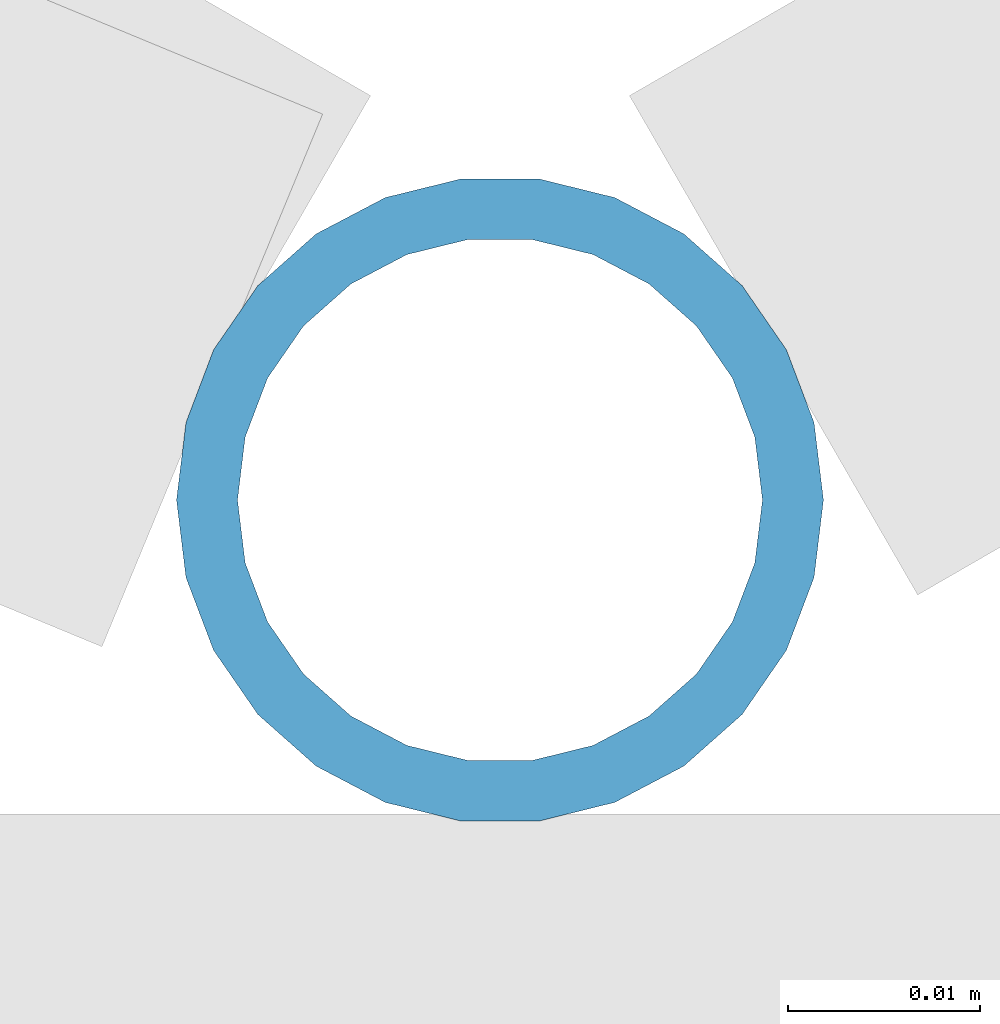
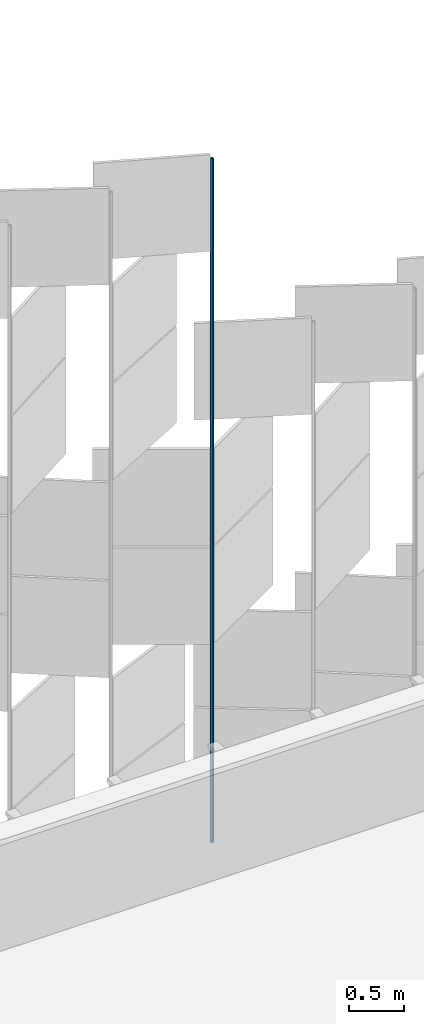
# One storey, part 361 of 483: 1 discrete accessory.
"""IFC4 building model written with IfcOpenShell, lengths in metres."""

from ifc_helpers import new_model, si_unit, direction, frame, origin, origin_2d, place, context, subcontext, project, spatial, hollow_circle, extrude, material, material_profile, profile_set, type_object, element, save


model = new_model("IFC4")

# Units and contexts
model_context = context("Model", 3, precision=1e-05, world=origin(), true_north=direction((0.0, 1.0)))
body_context = subcontext(model_context, "Body", "Model", "MODEL_VIEW")
ifc_project = project(units=[si_unit("LENGTHUNIT", "METRE"), si_unit("AREAUNIT", "SQUARE_METRE"), si_unit("VOLUMEUNIT", "CUBIC_METRE"), si_unit("PLANEANGLEUNIT", "RADIAN"), si_unit("MASSUNIT", "GRAM", prefix="KILO")], contexts=[model_context])

# Site, building, storey
site_placement = place(None, origin())
site = spatial("IfcSite", under=ifc_project, at=site_placement, CompositionType="ELEMENT")
building_placement = place(site_placement, origin())
building = spatial("IfcBuilding", under=site, at=building_placement, Name="Parallax Yard Mobility Hub", CompositionType="ELEMENT")
storey_placement = place(building_placement, frame((0.0, 0.0, 13.199951171875)))
storey = spatial("IfcBuildingStorey", under=building, at=storey_placement, Name="L04", CompositionType="ELEMENT", Elevation=13.199951171875)

# Discrete accessory
ifc_material = material(Name="Steel ASTM A500 Gr C, hot-dip galvanised", Category="steel")
ifc_material_profile = material_profile(ifc_material, hollow_circle(Radius=0.016845703125, WallThickness=0.003173828125, at=origin_2d()), Name="CHS 33.7x3.2")
ifc_profile_set = profile_set([ifc_material_profile], Name="Steel ASTM A500 Gr C, hot-dip galvanised")
discrete_accessory_type = type_object("IfcDiscreteAccessoryType", Name="Hinge post CHS 33.7x3.2", PredefinedType="BRACKET", material=ifc_profile_set)
discrete_accessory_placement = place(storey_placement, frame((131.78271484375, 142.800048828125, 0.0), z_axis=(0.0, 0.0, 1.0), x_axis=(1.0, 0.0, 0.0)))
element("IfcDiscreteAccessory", 1, at=discrete_accessory_placement, inside=storey, type_object=discrete_accessory_type, Name="Hinge post bay 56.4 level L04", PredefinedType="BRACKET", context=body_context, shape_type="SweptSolid", body=[
    extrude(hollow_circle(Radius=0.016845703125, WallThickness=0.003173828125, at=origin_2d()), origin(), (0.0, 0.0, 1.0), 7.650146484375),
])

save(model, "model.ifc")
